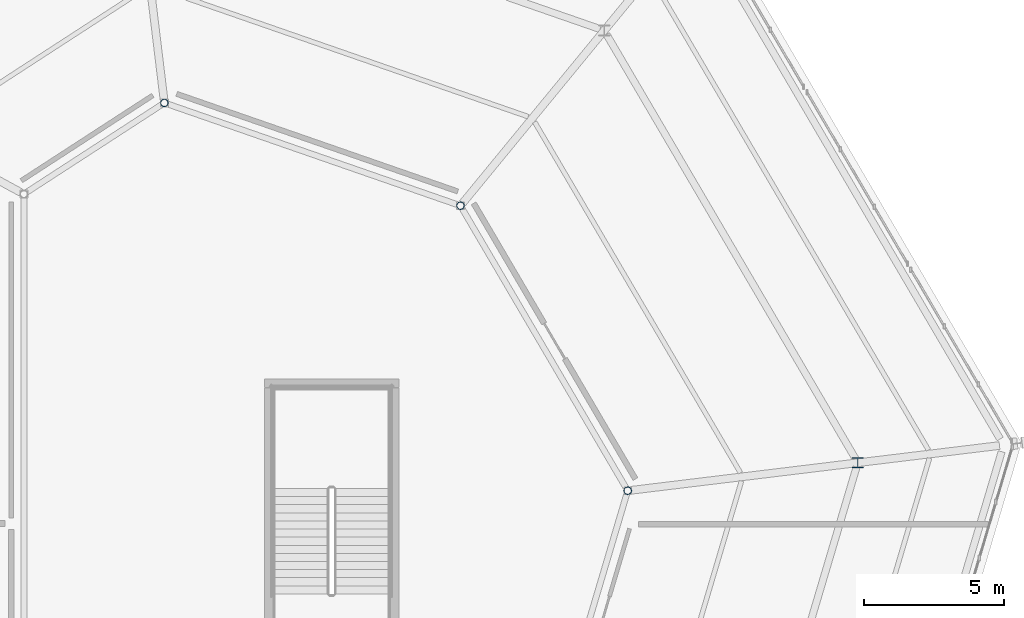
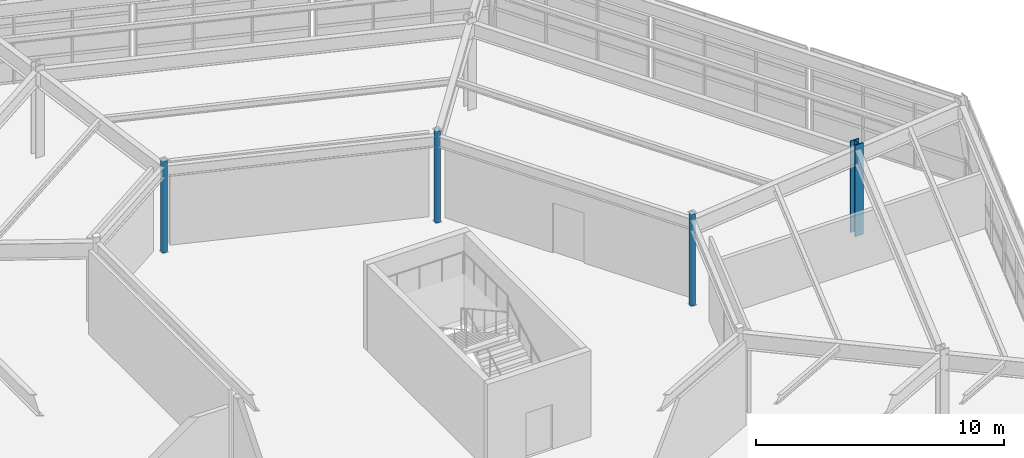
# One storey, part 14 of 88: 4 columns.
"""IFC4 building model written with IfcOpenShell, lengths in metres."""

from ifc_helpers import new_model, si_unit, direction, frame, origin, origin_2d, place, context, subcontext, project, spatial, hollow_circle, i_section, extrude, material, material_profile, profile_set, type_object, element, save


model = new_model("IFC4")

# Units and contexts
model_context = context("Model", 3, precision=1e-05, world=origin(), true_north=direction((0.0, 1.0)))
body_context = subcontext(model_context, "Body", "Model", "MODEL_VIEW")
ifc_project = project(units=[si_unit("LENGTHUNIT", "METRE"), si_unit("AREAUNIT", "SQUARE_METRE"), si_unit("VOLUMEUNIT", "CUBIC_METRE"), si_unit("PLANEANGLEUNIT", "RADIAN"), si_unit("MASSUNIT", "GRAM", prefix="KILO")], contexts=[model_context])

# Site, building, storey
site_placement = place(None, origin())
site = spatial("IfcSite", under=ifc_project, at=site_placement, CompositionType="ELEMENT")
building_placement = place(site_placement, origin())
building = spatial("IfcBuilding", under=site, at=building_placement, Name="Sarnbrook Museum", CompositionType="ELEMENT")
storey_placement = place(building_placement, frame((0.0, 0.0, 10.10009765625)))
storey = spatial("IfcBuildingStorey", under=building, at=storey_placement, Name="L02", CompositionType="ELEMENT", Elevation=10.10009765625)

# Columns
ifc_material_1 = material(Name="Structural Steel Hollow Section Grade C350L0 (AS/NZS 1163, fy = 350 MPa)", Category="steel")
ifc_material_profile_1 = material_profile(ifc_material_1, hollow_circle(Radius=0.136474609375, WallThickness=0.00927734375, at=origin_2d()), Name="273.1x9.3CHS")
ifc_profile_set_1 = profile_set([ifc_material_profile_1], Name="Structural Steel Hollow Section Grade C350L0 (AS/NZS 1163, fy = 350 MPa)")
column_type_1 = type_object("IfcColumnType", Name="COL-CHS273", PredefinedType="COLUMN", material=ifc_profile_set_1)
for number, where, z_axis, x_axis, name in (
    (1, (154.382080078125, 86.210205078125, 0.0), (0.0, 0.0, 1.0), (1.0, 0.0, 0.0), "Crystal Gallery Feature Column R2-4 L02"),
    (2, (148.40576171875, 96.39599609375, 0.0), (0.0, 0.0, 1.0), (1.0, 0.0, 0.0), "Crystal Gallery Feature Column R2-5 L02"),
    (3, (137.822509765625, 100.07080078125, 0.0), (0.0, 0.0, 1.0), (1.0, 0.0, 0.0), "Crystal Gallery Feature Column R2-6 L02"),
):
    element("IfcColumn", number, at=place(storey_placement, frame(where, z_axis=z_axis, x_axis=x_axis)), inside=storey, type_object=column_type_1, Name=name, PredefinedType="COLUMN", context=body_context, shape_type="SweptSolid", body=[
        extrude(hollow_circle(Radius=0.136474609375, WallThickness=0.00927734375, at=origin_2d()), origin(), (0.0, 0.0, 1.0), 4.5),
    ])
ifc_material_2 = material(Name="Structural Steel Grade 350L0 (AS/NZS 3678, fy = 340 MPa for 20 < t <= 40 mm)", Category="steel")
ifc_material_profile_2 = material_profile(ifc_material_2, i_section(OverallWidth=0.39990234375, OverallDepth=0.382080078125, WebThickness=0.02490234375, FlangeThickness=0.035888671875, at=origin_2d()), Name="400WC270")
ifc_profile_set_2 = profile_set([ifc_material_profile_2], Name="Structural Steel Grade 350L0 (AS/NZS 3678, fy = 340 MPa for 20 < t <= 40 mm)")
column_type_2 = type_object("IfcColumnType", Name="COL-WC400", PredefinedType="COLUMN", material=ifc_profile_set_2)
column_placement = place(storey_placement, frame((162.606689453125, 87.21044921875, 0.0), z_axis=(0.0, 0.0, 1.0), x_axis=(1.0, 0.0, 0.0)))
element("IfcColumn", 4, at=column_placement, inside=storey, type_object=column_type_2, Name="Crystal Hall Ring Column R1-4 L02", PredefinedType="COLUMN", context=body_context, shape_type="SweptSolid", body=[
    extrude(i_section(OverallWidth=0.39990234375, OverallDepth=0.382080078125, WebThickness=0.02490234375, FlangeThickness=0.035888671875, at=origin_2d()), origin(), (0.0, 0.0, 1.0), 4.5),
])

save(model, "model.ifc")
